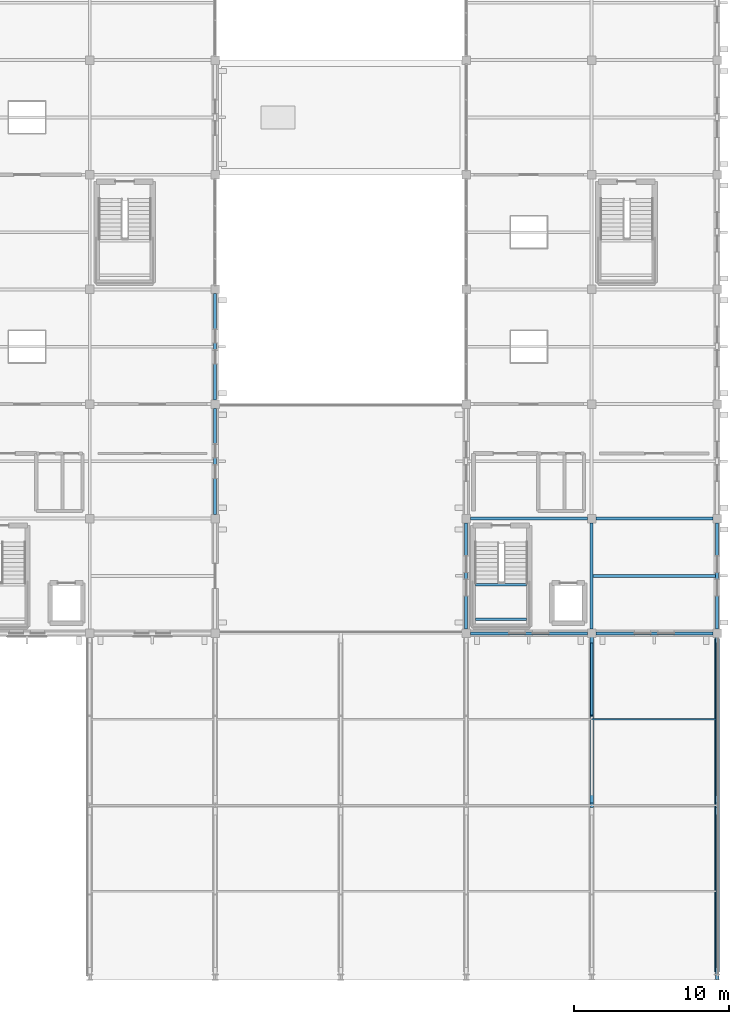
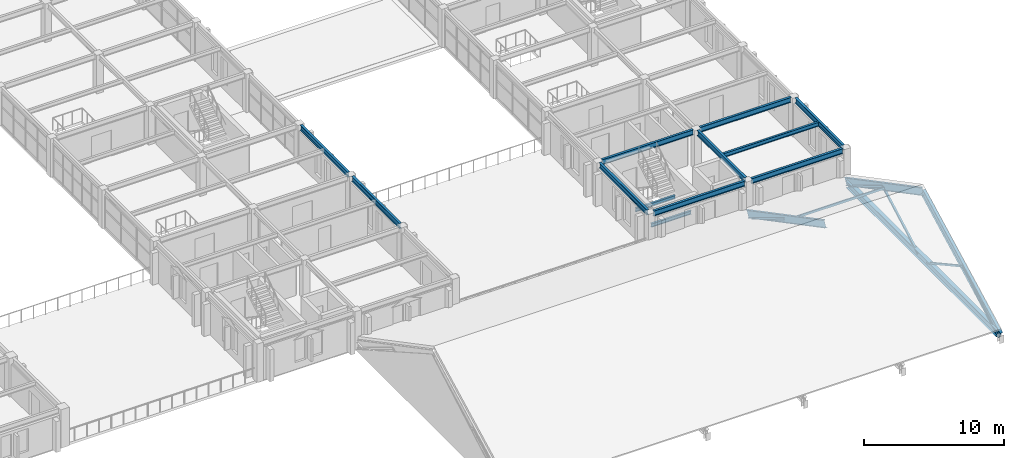
# One storey, part 74 of 121: 15 beams, 7 members.
"""IFC4 building model written with IfcOpenShell, lengths in metres."""

from ifc_helpers import new_model, si_unit, direction, frame, origin, origin_2d, place, context, subcontext, project, spatial, hollow_rectangle, i_section, extrude, material, material_profile, profile_set, type_object, element, save


model = new_model("IFC4")

# Units and contexts
model_context = context("Model", 3, precision=1e-05, world=origin(), true_north=direction((0.0, 1.0)))
body_context = subcontext(model_context, "Body", "Model", "MODEL_VIEW")
ifc_project = project(units=[si_unit("LENGTHUNIT", "METRE"), si_unit("AREAUNIT", "SQUARE_METRE"), si_unit("VOLUMEUNIT", "CUBIC_METRE"), si_unit("PLANEANGLEUNIT", "RADIAN"), si_unit("MASSUNIT", "GRAM", prefix="KILO")], contexts=[model_context])

# Site, building, storey
site_placement = place(None, origin())
site = spatial("IfcSite", under=ifc_project, at=site_placement, CompositionType="ELEMENT")
building_placement = place(site_placement, origin())
building = spatial("IfcBuilding", under=site, at=building_placement, Name="Cimatlan Art Gallery", CompositionType="ELEMENT")
storey_placement = place(building_placement, frame((0.0, 0.0, 10.199951171875)))
storey = spatial("IfcBuildingStorey", under=building, at=storey_placement, Name="L02", CompositionType="ELEMENT", Elevation=10.199951171875)

# Beams
ifc_material_1 = material(Name="Steel ASTM A992 Grade 50", Category="steel")
ifc_material_profile_1 = material_profile(ifc_material_1, i_section(OverallWidth=0.1650390625, OverallDepth=0.31005859375, WebThickness=0.005859375, FlangeThickness=0.009765625, at=origin_2d()), Name="W12X26")
ifc_profile_set_1 = profile_set([ifc_material_profile_1], Name="Steel ASTM A992 Grade 50")
beam_type_1 = type_object("IfcBeamType", Name="BM-STL-W12X26", PredefinedType="JOIST", material=ifc_profile_set_1)
for number, where, z_axis, x_axis, name in (
    (1, (148.4150390625, 24.800048828125, 1.425048828125), (1.0, 0.0, 0.0), (0.0, 1.0, 0.0), "BM-STR-C5-L02-LH1"),
    (2, (148.4150390625, 27.030029296875, 1.425048828125), (1.0, 0.0, 0.0), (0.0, 1.0, 0.0), "BM-STR-C5-L02-LH2"),
):
    element("IfcBeam", number, at=place(storey_placement, frame(where, z_axis=z_axis, x_axis=x_axis)), inside=storey, type_object=beam_type_1, Name=name, PredefinedType="JOIST", context=body_context, shape_type="SweptSolid", body=[
        extrude(i_section(OverallWidth=0.1650390625, OverallDepth=0.31005859375, WebThickness=0.005859375, FlangeThickness=0.009765625, at=origin_2d()), origin(), (0.0, 0.0, 1.0), 3.2900390625),
    ])
ifc_material_profile_2 = material_profile(ifc_material_1, i_section(OverallWidth=0.1708984375, OverallDepth=0.35107421875, WebThickness=0.0068359375, FlangeThickness=0.009765625, at=origin_2d()), Name="W14X30")
ifc_profile_set_2 = profile_set([ifc_material_profile_2], Name="Steel ASTM A992 Grade 50")
beam_type_2 = type_object("IfcBeamType", Name="BM-STL-W14X30", PredefinedType="JOIST", material=ifc_profile_set_2)
beam_1_placement = place(storey_placement, frame((155.99560546875, 27.60009765625, 3.194580078125), z_axis=(1.0, 0.0, 0.0), x_axis=(0.0, 1.0, 0.0)))
element("IfcBeam", 3, at=beam_1_placement, inside=storey, type_object=beam_type_2, Name="JST-L02-19-03", PredefinedType="JOIST", context=body_context, shape_type="SweptSolid", body=[
    extrude(i_section(OverallWidth=0.1708984375, OverallDepth=0.35107421875, WebThickness=0.0068359375, FlangeThickness=0.009765625, at=origin_2d()), origin(), (0.0, 0.0, 1.0), 7.908935546875),
])
ifc_material_profile_3 = material_profile(ifc_material_1, i_section(OverallWidth=0.19091796875, OverallDepth=0.45703125, WebThickness=0.009033203125, FlangeThickness=0.014404296875, at=origin_2d()), Name="W18X50")
ifc_profile_set_3 = profile_set([ifc_material_profile_3], Name="Steel ASTM A992 Grade 50")
beam_type_3 = type_object("IfcBeamType", Name="BM-STL-W18X50", PredefinedType="BEAM", material=ifc_profile_set_3)
beam_2_placement = place(storey_placement, frame((131.60009765625, 31.574951171875, 3.1416015625), z_axis=(0.0, 1.0, 0.0), x_axis=(-1.0, 0.0, 0.0)))
element("IfcBeam", 4, at=beam_2_placement, inside=storey, type_object=beam_type_3, Name="BM-Y-L02-16-04", PredefinedType="BEAM", context=body_context, shape_type="SweptSolid", body=[
    extrude(i_section(OverallWidth=0.19091796875, OverallDepth=0.45703125, WebThickness=0.009033203125, FlangeThickness=0.014404296875, at=origin_2d()), origin(), (0.0, 0.0, 1.0), 6.85009765625),
])
for number, where, z_axis, x_axis, name in (
    (5, (131.60009765625, 38.97509765625, 3.1416015625), (0.0, 1.0, 0.0), (-1.0, 0.0, 0.0), "BM-Y-L02-16-05"),
    (6, (147.800048828125, 24.175048828125, 3.1416015625), (0.0, 1.0, 0.0), (-1.0, 0.0, 0.0), "BM-Y-L02-18-03"),
    (7, (155.89990234375, 24.175048828125, 3.1416015625), (0.0, 1.0, 0.0), (-1.0, 0.0, 0.0), "BM-Y-L02-19-03"),
    (8, (164.0, 24.175048828125, 3.1416015625), (0.0, 1.0, 0.0), (-1.0, 0.0, 0.0), "BM-Y-L02-20-03"),
):
    element("IfcBeam", number, at=place(storey_placement, frame(where, z_axis=z_axis, x_axis=x_axis)), inside=storey, type_object=beam_type_3, Name=name, PredefinedType="BEAM", context=body_context, shape_type="SweptSolid", body=[
        extrude(i_section(OverallWidth=0.19091796875, OverallDepth=0.45703125, WebThickness=0.009033203125, FlangeThickness=0.014404296875, at=origin_2d()), origin(), (0.0, 0.0, 1.0), 6.849853515625),
    ])
for number, where, z_axis, x_axis, name in (
    (9, (148.074951171875, 23.89990234375, 3.1416015625), (1.0, 0.0, 0.0), (0.0, 1.0, 0.0), "BM-X-L02-18-03"),
    (10, (148.074951171875, 31.300048828125, 3.1416015625), (1.0, 0.0, 0.0), (0.0, 1.0, 0.0), "BM-X-L02-18-04"),
    (11, (156.175048828125, 23.89990234375, 3.1416015625), (1.0, 0.0, 0.0), (0.0, 1.0, 0.0), "BM-X-L02-19-03"),
    (12, (156.175048828125, 31.300048828125, 3.1416015625), (1.0, 0.0, 0.0), (0.0, 1.0, 0.0), "BM-X-L02-19-04"),
):
    element("IfcBeam", number, at=place(storey_placement, frame(where, z_axis=z_axis, x_axis=x_axis)), inside=storey, type_object=beam_type_3, Name=name, PredefinedType="BEAM", context=body_context, shape_type="SweptSolid", body=[
        extrude(i_section(OverallWidth=0.19091796875, OverallDepth=0.45703125, WebThickness=0.009033203125, FlangeThickness=0.014404296875, at=origin_2d()), origin(), (0.0, 0.0, 1.0), 7.550048828125),
    ])
ifc_material_profile_4 = material_profile(ifc_material_1, i_section(OverallWidth=0.22802734375, OverallDepth=0.60791015625, WebThickness=0.01123046875, FlangeThickness=0.017333984375, at=origin_2d()), Name="W24X76")
ifc_profile_set_4 = profile_set([ifc_material_profile_4], Name="Steel ASTM A992 Grade 50")
beam_type_4 = type_object("IfcBeamType", Name="BM-TRS-RAF", PredefinedType="BEAM", material=ifc_profile_set_4)
beam_3_placement = place(storey_placement, frame((155.89990234375, 12.800048828125, 6.199951171875), z_axis=(0.0, 0.884989992815, -0.465610043509), x_axis=(-1.0, 0.0, 0.0)))
element("IfcBeam", 13, at=beam_3_placement, inside=storey, type_object=beam_type_4, Name="ATRS-05-RAF-N", PredefinedType="BEAM", context=body_context, shape_type="SweptSolid", body=[
    extrude(i_section(OverallWidth=0.22802734375, OverallDepth=0.60791015625, WebThickness=0.01123046875, FlangeThickness=0.017333984375, at=origin_2d()), origin(), (0.0, 0.0, 1.0), 12.542236328125),
])
beam_4_placement = place(storey_placement, frame((164.0, 1.699951171875, 0.360107421875), z_axis=(0.0, 0.884994212642, 0.465602022751), x_axis=(-1.0, 0.0, 0.0)))
element("IfcBeam", 14, at=beam_4_placement, inside=storey, type_object=beam_type_4, Name="ATRS-06-RAF-S", PredefinedType="BEAM", context=body_context, shape_type="SweptSolid", body=[
    extrude(i_section(OverallWidth=0.22802734375, OverallDepth=0.60791015625, WebThickness=0.01123046875, FlangeThickness=0.017333984375, at=origin_2d()), origin(), (0.0, 0.0, 1.0), 12.54248046875),
])
beam_5_placement = place(storey_placement, frame((164.0, 12.800048828125, 6.199951171875), z_axis=(0.0, 0.884989992815, -0.465610043509), x_axis=(-1.0, 0.0, 0.0)))
element("IfcBeam", 15, at=beam_5_placement, inside=storey, type_object=beam_type_4, Name="ATRS-06-RAF-N", PredefinedType="BEAM", context=body_context, shape_type="SweptSolid", body=[
    extrude(i_section(OverallWidth=0.22802734375, OverallDepth=0.60791015625, WebThickness=0.01123046875, FlangeThickness=0.017333984375, at=origin_2d()), origin(), (0.0, 0.0, 1.0), 12.542236328125),
])

# Members
ifc_material_2 = material(Name="Steel ASTM A500 Grade C", Category="steel")
ifc_material_profile_5 = material_profile(ifc_material_2, hollow_rectangle(XDim=0.10009765625, YDim=0.199951171875, WallThickness=0.008056640625, at=origin_2d()), Name="HSS200X100X8")
ifc_profile_set_5 = profile_set([ifc_material_profile_5], Name="Steel ASTM A500 Grade C")
member_type_1 = type_object("IfcMemberType", Name="MBR-PUR-C200", PredefinedType="PURLIN", material=ifc_profile_set_5)
member_1_placement = place(storey_placement, frame((155.89990234375, 18.35009765625, 3.14013671875), z_axis=(1.0, 0.0, 0.0), x_axis=(0.0, 1.0, 0.0)))
element("IfcMember", 16, at=member_1_placement, inside=storey, type_object=member_type_1, Name="APUR-B5-18", PredefinedType="PURLIN", context=body_context, shape_type="SweptSolid", body=[
    extrude(hollow_rectangle(XDim=0.10009765625, YDim=0.199951171875, WallThickness=0.008056640625, at=origin_2d()), origin(), (0.0, 0.0, 1.0), 8.10009765625),
])
ifc_material_profile_6 = material_profile(ifc_material_2, hollow_rectangle(XDim=0.14990234375, YDim=0.14990234375, WallThickness=0.008056640625, at=origin_2d()), Name="HSS150X150X8")
ifc_profile_set_6 = profile_set([ifc_material_profile_6], Name="Steel ASTM A500 Grade C")
member_type_2 = type_object("IfcMemberType", Name="MBR-TRS-DIAG-2", PredefinedType="BRACE", material=ifc_profile_set_6)
member_2_placement = place(storey_placement, frame((155.89990234375, 23.23388671875, 0.360107421875), z_axis=(0.0, -0.85699752079, 0.515320530699), x_axis=(1.0, 0.0, 0.0)))
element("IfcMember", 17, at=member_2_placement, inside=storey, type_object=member_type_2, Name="ATRS-05-DN1", PredefinedType="BRACE", context=body_context, shape_type="SweptSolid", body=[
    extrude(hollow_rectangle(XDim=0.14990234375, YDim=0.14990234375, WallThickness=0.008056640625, at=origin_2d()), origin(), (0.0, 0.0, 1.0), 5.439697265625),
])
member_3_placement = place(storey_placement, frame((164.0, 2.365966796875, 0.360107421875), z_axis=(0.0, 0.857009438415, 0.515300710719), x_axis=(-1.0, 0.0, 0.0)))
element("IfcMember", 18, at=member_3_placement, inside=storey, type_object=member_type_2, Name="ATRS-06-DS1", PredefinedType="BRACE", context=body_context, shape_type="SweptSolid", body=[
    extrude(hollow_rectangle(XDim=0.14990234375, YDim=0.14990234375, WallThickness=0.008056640625, at=origin_2d()), origin(), (0.0, 0.0, 1.0), 5.43994140625),
])
member_4_placement = place(storey_placement, frame((164.0, 23.23388671875, 0.360107421875), z_axis=(0.0, -0.85699752079, 0.515320530699), x_axis=(1.0, 0.0, 0.0)))
element("IfcMember", 19, at=member_4_placement, inside=storey, type_object=member_type_2, Name="ATRS-06-DN1", PredefinedType="BRACE", context=body_context, shape_type="SweptSolid", body=[
    extrude(hollow_rectangle(XDim=0.14990234375, YDim=0.14990234375, WallThickness=0.008056640625, at=origin_2d()), origin(), (0.0, 0.0, 1.0), 5.439697265625),
])
for number, where, z_axis, x_axis, name in (
    (20, (164.0, 7.028076171875, 3.163330078125), (0.0, 0.876582017765, -0.481252497273), (-1.0, 0.0, 0.0), "ATRS-06-DS2"),
    (21, (164.0, 18.572021484375, 3.163330078125), (0.0, -0.876582017765, -0.481252497273), (1.0, 0.0, 0.0), "ATRS-06-DN2"),
):
    element("IfcMember", number, at=place(storey_placement, frame(where, z_axis=z_axis, x_axis=x_axis)), inside=storey, type_object=member_type_2, Name=name, PredefinedType="BRACE", context=body_context, shape_type="SweptSolid", body=[
        extrude(hollow_rectangle(XDim=0.14990234375, YDim=0.14990234375, WallThickness=0.008056640625, at=origin_2d()), origin(), (0.0, 0.0, 1.0), 5.824951171875),
    ])
ifc_material_profile_7 = material_profile(ifc_material_1, i_section(OverallWidth=0.323974609375, OverallDepth=0.611083984375, WebThickness=0.0126953125, FlangeThickness=0.01904296875, at=origin_2d()), Name="W24X104")
ifc_profile_set_7 = profile_set([ifc_material_profile_7], Name="Steel ASTM A992 Grade 50")
member_type_3 = type_object("IfcMemberType", Name="MBR-TRS-TIE", PredefinedType="CHORD", material=ifc_profile_set_7)
member_5_placement = place(storey_placement, frame((164.0, 2.02490234375, 0.360107421875), z_axis=(0.0, 1.0, 0.0), x_axis=(-1.0, 0.0, 0.0)))
element("IfcMember", 22, at=member_5_placement, inside=storey, type_object=member_type_3, Name="ATRS-06-TIE", PredefinedType="CHORD", context=body_context, shape_type="SweptSolid", body=[
    extrude(i_section(OverallWidth=0.323974609375, OverallDepth=0.611083984375, WebThickness=0.0126953125, FlangeThickness=0.01904296875, at=origin_2d()), origin(), (0.0, 0.0, 1.0), 21.550048828125),
])

save(model, "model.ifc")
